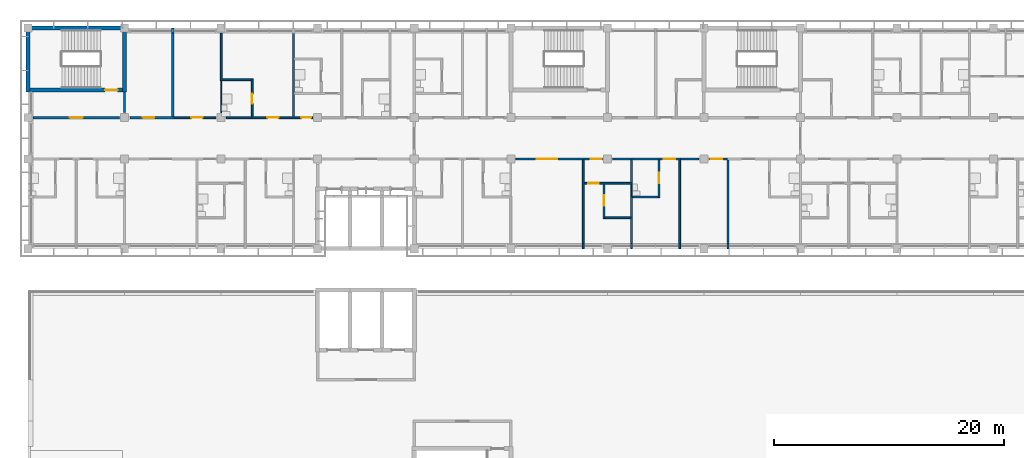
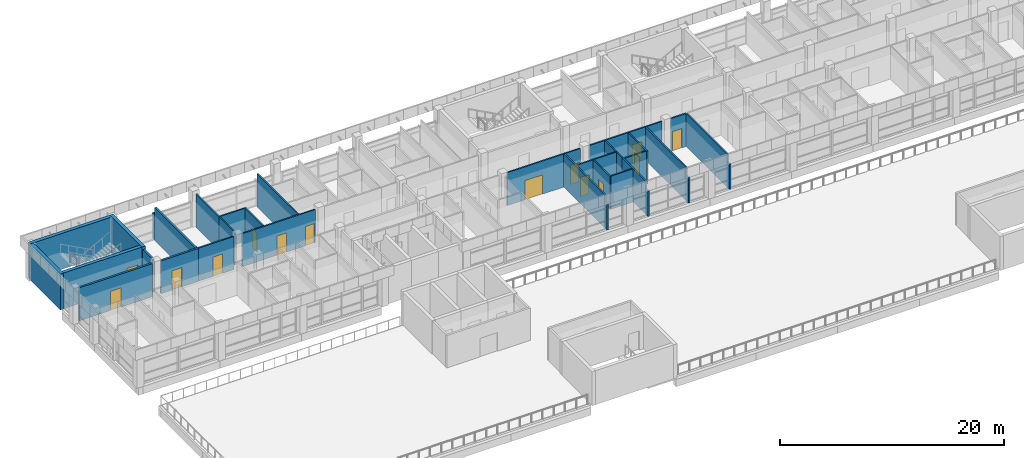
# One storey, part 20 of 46: 35 walls, 14 doors, 14 openings.
"""IFC4 building model written with IfcOpenShell, lengths in metres."""

from ifc_helpers import new_model, si_unit, direction, frame, frame_2d, origin, place, context, subcontext, project, spatial, rectangle, extrude, material, layer, layer_set, type_object, element, fill, save


model = new_model("IFC4")

# Units and contexts
model_context = context("Model", 3, precision=1e-05, world=origin(), true_north=direction((0.0, 1.0)))
body_context = subcontext(model_context, "Body", "Model", "MODEL_VIEW")
ifc_project = project(units=[si_unit("LENGTHUNIT", "METRE"), si_unit("AREAUNIT", "SQUARE_METRE"), si_unit("VOLUMEUNIT", "CUBIC_METRE"), si_unit("PLANEANGLEUNIT", "RADIAN"), si_unit("MASSUNIT", "GRAM", prefix="KILO")], contexts=[model_context])

# Site, building, storey
site_placement = place(None, origin())
site = spatial("IfcSite", under=ifc_project, at=site_placement, CompositionType="ELEMENT")
building_placement = place(site_placement, origin())
building = spatial("IfcBuilding", under=site, at=building_placement, Name="Bougainvillea Quay General Hospital", CompositionType="ELEMENT")
storey_placement = place(building_placement, frame((0.0, 0.0, 28.800048828125)))
storey = spatial("IfcBuildingStorey", under=building, at=storey_placement, Name="L06", CompositionType="ELEMENT", Elevation=28.800048828125)

# Walls
ifc_material_1 = material(Name="Gypsum board partition on steel studs", Category="steel")
ifc_layer_1 = layer(ifc_material_1, 0.10009765625)
ifc_layer_set_1 = layer_set([ifc_layer_1], Name="Gypsum board partition on steel studs")
wall_type_1 = type_object("IfcWallType", Name="Partition 100 Gypsum board partition", PredefinedType="PARTITIONING", material=ifc_layer_set_1)
wall_1_placement = place(storey_placement, frame((58.800048828125, 152.25, 0.0), z_axis=(0.0, 0.0, 1.0), x_axis=(0.0, 1.0, 0.0)))
element("IfcWall", 1, at=wall_1_placement, inside=storey, type_object=wall_type_1, Name="Partition 100 mm", PredefinedType="PARTITIONING", context=body_context, shape_type="SweptSolid", body=[
    extrude(rectangle(XDim=2.77490234375, YDim=0.10009765625, at=frame_2d((1.387451171875, 0.0))), origin(), (0.0, 0.0, 1.0), 3.599853515625),
])
wall_2_placement = place(storey_placement, frame((94.5, 144.97509765625, 0.0), z_axis=(0.0, 0.0, 1.0), x_axis=(0.0, 1.0, 0.0)))
element("IfcWall", 2, at=wall_2_placement, inside=storey, type_object=wall_type_1, Name="Partition 100 mm", PredefinedType="PARTITIONING", context=body_context, shape_type="SweptSolid", body=[
    extrude(rectangle(XDim=1.0498046875, YDim=0.10009765625, at=frame_2d((0.52490234375, 0.0))), origin(), (0.0, 0.0, 1.0), 3.599853515625),
])
ifc_material_2 = material(Name="Gypsum board partition on steel studs, insulated", Category="steel")
ifc_layer_2 = layer(ifc_material_2, 0.14990234375)
ifc_layer_set_2 = layer_set([ifc_layer_2], Name="Gypsum board partition on steel studs, insulated")
wall_type_2 = type_object("IfcWallType", Name="Partition 150 Gypsum board partition", PredefinedType="PARTITIONING", material=ifc_layer_set_2)
wall_3_placement = place(storey_placement, frame((65.10009765625, 159.14990234375, 0.0), z_axis=(0.0, 0.0, 1.0), x_axis=(0.0, -1.0, 0.0)))
element("IfcWall", 3, at=wall_3_placement, inside=storey, type_object=wall_type_2, Name="Partition 150 mm", PredefinedType="PARTITIONING", context=body_context, shape_type="SweptSolid", body=[
    extrude(rectangle(XDim=7.27490234375, YDim=0.14990234375, at=frame_2d((3.637451171875, 0.0))), origin(), (0.0, 0.0, 1.0), 3.599853515625),
])
wall_4_placement = place(storey_placement, frame((90.300048828125, 140.39990234375, 0.0), z_axis=(0.0, 0.0, 1.0), x_axis=(0.0, 1.0, 0.0)))
element("IfcWall", 4, at=wall_4_placement, inside=storey, type_object=wall_type_2, Name="Partition 150 mm", PredefinedType="PARTITIONING", context=body_context, shape_type="SweptSolid", body=[
    extrude(rectangle(XDim=0.4501953125, YDim=0.14990234375, at=frame_2d((0.22509765625, 0.0))), origin(), (0.0, 0.0, 1.0), 2.780029296875),
])
wall_5_placement = place(storey_placement, frame((90.300048828125, 140.85009765625, 0.0), z_axis=(0.0, 0.0, 1.0), x_axis=(0.0, 1.0, 0.0)))
element("IfcWall", 5, at=wall_5_placement, inside=storey, type_object=wall_type_2, Name="Partition 150 mm", PredefinedType="PARTITIONING", context=body_context, shape_type="SweptSolid", body=[
    extrude(rectangle(XDim=7.27490234375, YDim=0.14990234375, at=frame_2d((3.637451171875, 0.0))), origin(), (0.0, 0.0, 1.0), 3.599853515625),
])
wall_6_placement = place(storey_placement, frame((98.699951171875, 140.39990234375, 0.0), z_axis=(0.0, 0.0, 1.0), x_axis=(0.0, 1.0, 0.0)))
element("IfcWall", 6, at=wall_6_placement, inside=storey, type_object=wall_type_2, Name="Partition 150 mm", PredefinedType="PARTITIONING", context=body_context, shape_type="SweptSolid", body=[
    extrude(rectangle(XDim=0.4501953125, YDim=0.14990234375, at=frame_2d((0.22509765625, 0.0))), origin(), (0.0, 0.0, 1.0), 2.780029296875),
])
wall_7_placement = place(storey_placement, frame((98.699951171875, 140.85009765625, 0.0), z_axis=(0.0, 0.0, 1.0), x_axis=(0.0, 1.0, 0.0)))
element("IfcWall", 7, at=wall_7_placement, inside=storey, type_object=wall_type_2, Name="Partition 150 mm", PredefinedType="PARTITIONING", context=body_context, shape_type="SweptSolid", body=[
    extrude(rectangle(XDim=7.27490234375, YDim=0.14990234375, at=frame_2d((3.637451171875, 0.0))), origin(), (0.0, 0.0, 1.0), 3.599853515625),
])
wall_8_placement = place(storey_placement, frame((102.89990234375, 140.39990234375, 0.0), z_axis=(0.0, 0.0, 1.0), x_axis=(0.0, 1.0, 0.0)))
element("IfcWall", 8, at=wall_8_placement, inside=storey, type_object=wall_type_2, Name="Partition 150 mm", PredefinedType="PARTITIONING", context=body_context, shape_type="SweptSolid", body=[
    extrude(rectangle(XDim=0.4501953125, YDim=0.14990234375, at=frame_2d((0.22509765625, 0.0))), origin(), (0.0, 0.0, 1.0), 2.780029296875),
])
wall_9_placement = place(storey_placement, frame((102.89990234375, 140.85009765625, 0.0), z_axis=(0.0, 0.0, 1.0), x_axis=(0.0, 1.0, 0.0)))
element("IfcWall", 9, at=wall_9_placement, inside=storey, type_object=wall_type_2, Name="Partition 150 mm", PredefinedType="PARTITIONING", context=body_context, shape_type="SweptSolid", body=[
    extrude(rectangle(XDim=7.27490234375, YDim=0.14990234375, at=frame_2d((3.637451171875, 0.0))), origin(), (0.0, 0.0, 1.0), 3.599853515625),
])
wall_10_placement = place(storey_placement, frame((58.800048828125, 155.02490234375, 0.0), z_axis=(0.0, 0.0, 1.0), x_axis=(0.0, 1.0, 0.0)))
element("IfcWall", 10, at=wall_10_placement, inside=storey, type_object=wall_type_2, Name="Partition 150 mm", PredefinedType="PARTITIONING", context=body_context, shape_type="SweptSolid", body=[
    extrude(rectangle(XDim=4.125, YDim=0.14990234375, at=frame_2d((2.0625, 0.0))), origin(), (0.0, 0.0, 1.0), 3.599853515625),
])
wall_11_placement = place(storey_placement, frame((94.5, 140.39990234375, 0.0), z_axis=(0.0, 0.0, 1.0), x_axis=(0.0, 1.0, 0.0)))
element("IfcWall", 11, at=wall_11_placement, inside=storey, type_object=wall_type_2, Name="Partition 150 mm", PredefinedType="PARTITIONING", context=body_context, shape_type="SweptSolid", body=[
    extrude(rectangle(XDim=0.4501953125, YDim=0.14990234375, at=frame_2d((0.22509765625, 0.0))), origin(), (0.0, 0.0, 1.0), 2.780029296875),
])
wall_12_placement = place(storey_placement, frame((94.5, 140.85009765625, 0.0), z_axis=(0.0, 0.0, 1.0), x_axis=(0.0, 1.0, 0.0)))
element("IfcWall", 12, at=wall_12_placement, inside=storey, type_object=wall_type_2, Name="Partition 150 mm", PredefinedType="PARTITIONING", context=body_context, shape_type="SweptSolid", body=[
    extrude(rectangle(XDim=4.125, YDim=0.14990234375, at=frame_2d((2.0625, 0.0))), origin(), (0.0, 0.0, 1.0), 3.599853515625),
])

# Wall, opening, door
wall_13_placement = place(storey_placement, frame((90.375, 146.10009765625, 0.0), z_axis=(0.0, 0.0, 1.0), x_axis=(1.0, 0.0, 0.0)))
wall_13 = element("IfcWall", 13, at=wall_13_placement, inside=storey, type_object=wall_type_2, Name="Partition 150 mm", PredefinedType="PARTITIONING", context=body_context, shape_type="SweptSolid", body=[
    extrude(rectangle(XDim=4.199951171875, YDim=0.14990234375, at=frame_2d((2.10009765625, 0.0))), origin(), (0.0, 0.0, 1.0), 3.599853515625),
])
opening_1_placement = place(wall_13_placement, frame((0.375, 0.0, 0.0)))
opening_1 = element("IfcOpeningElement", 14, at=opening_1_placement, cuts=wall_13, Name="Opening L06.030", PredefinedType="OPENING", context=body_context, shape_type="SweptSolid", body=[
    extrude(rectangle(XDim=0.89990234375, YDim=2.10009765625, at=frame_2d((0.449951171875, 1.050048828125))), frame((0.0, 0.0849609375, 0.0), z_axis=(0.0, -1.0, 0.0), x_axis=(1.0, 0.0, 0.0)), (0.0, 0.0, 1.0), 0.169921875),
])
ifc_material_3 = material(Name="Solid-core timber door leaf in steel frame", Category="steel")
door_type_1 = type_object("IfcDoorType", Name="Single leaf door 900x2100 FD30S", OperationType="NOTDEFINED", PredefinedType="DOOR", material=ifc_material_3)
door_1_placement = place(opening_1_placement, frame((0.89990234375, 0.0, 0.0), z_axis=(0.0, 0.0, 1.0), x_axis=(-1.0, 0.0, 0.0)))
door_1 = element("IfcDoor", 15, at=door_1_placement, inside=storey, type_object=door_type_1, Name="DT16 L06.030", OperationType="SINGLE_SWING_RIGHT", OverallHeight=2.10009765625, OverallWidth=0.89990234375, PredefinedType="DOOR", context=body_context, shape_type="SweptSolid", body=[
    extrude(rectangle(XDim=0.89990234375, YDim=2.10009765625, at=frame_2d((0.449951171875, 1.050048828125))), frame((0.0, 0.02490234375, 0.0), z_axis=(0.0, -1.0, 0.0), x_axis=(1.0, 0.0, 0.0)), (0.0, 0.0, 1.0), 0.050048828125),
])
fill(opening_1, door_1)

wall_14_placement = place(storey_placement, frame((61.5, 151.875, 0.0), z_axis=(0.0, 0.0, 1.0), x_axis=(0.0, 1.0, 0.0)))
wall_14 = element("IfcWall", 16, at=wall_14_placement, inside=storey, type_object=wall_type_2, Name="Partition 150 mm", PredefinedType="PARTITIONING", context=body_context, shape_type="SweptSolid", body=[
    extrude(rectangle(XDim=3.300048828125, YDim=0.14990234375, at=frame_2d((1.64990234375, 0.0))), origin(), (0.0, 0.0, 1.0), 3.599853515625),
])
opening_2_placement = place(wall_14_placement, frame((1.125, 0.0, 0.0)))
opening_2 = element("IfcOpeningElement", 17, at=opening_2_placement, cuts=wall_14, Name="Opening L06.017", PredefinedType="OPENING", context=body_context, shape_type="SweptSolid", body=[
    extrude(rectangle(XDim=0.89990234375, YDim=2.10009765625, at=frame_2d((0.449951171875, 1.050048828125))), frame((0.0, 0.0849609375, 0.0), z_axis=(0.0, -1.0, 0.0), x_axis=(1.0, 0.0, 0.0)), (0.0, 0.0, 1.0), 0.169921875),
])
door_type_2 = type_object("IfcDoorType", Name="Single leaf door 900x2100", OperationType="NOTDEFINED", PredefinedType="DOOR", material=ifc_material_3)
door_2_placement = place(opening_2_placement, origin())
door_2 = element("IfcDoor", 18, at=door_2_placement, inside=storey, type_object=door_type_2, Name="DT07 L06.017", OperationType="SINGLE_SWING_LEFT", OverallHeight=2.10009765625, OverallWidth=0.89990234375, PredefinedType="DOOR", context=body_context, shape_type="SweptSolid", body=[
    extrude(rectangle(XDim=0.89990234375, YDim=2.10009765625, at=frame_2d((0.449951171875, 1.050048828125))), frame((0.0, 0.02490234375, 0.0), z_axis=(0.0, -1.0, 0.0), x_axis=(1.0, 0.0, 0.0)), (0.0, 0.0, 1.0), 0.050048828125),
])
fill(opening_2, door_2)

wall_15_placement = place(storey_placement, frame((96.89990234375, 144.824951171875, 0.0), z_axis=(0.0, 0.0, 1.0), x_axis=(0.0, 1.0, 0.0)))
wall_15 = element("IfcWall", 19, at=wall_15_placement, inside=storey, type_object=wall_type_2, Name="Partition 150 mm", PredefinedType="PARTITIONING", context=body_context, shape_type="SweptSolid", body=[
    extrude(rectangle(XDim=3.300048828125, YDim=0.14990234375, at=frame_2d((1.64990234375, 0.0))), origin(), (0.0, 0.0, 1.0), 3.599853515625),
])
opening_3_placement = place(wall_15_placement, frame((1.27490234375, 0.0, 0.0)))
opening_3 = element("IfcOpeningElement", 20, at=opening_3_placement, cuts=wall_15, Name="Opening L06.033", PredefinedType="OPENING", context=body_context, shape_type="SweptSolid", body=[
    extrude(rectangle(XDim=0.89990234375, YDim=2.10009765625, at=frame_2d((0.449951171875, 1.050048828125))), frame((0.0, 0.0849609375, 0.0), z_axis=(0.0, -1.0, 0.0), x_axis=(1.0, 0.0, 0.0)), (0.0, 0.0, 1.0), 0.169921875),
])
door_3_placement = place(opening_3_placement, origin())
door_3 = element("IfcDoor", 21, at=door_3_placement, inside=storey, type_object=door_type_2, Name="DT07 L06.033", OperationType="SINGLE_SWING_RIGHT", OverallHeight=2.10009765625, OverallWidth=0.89990234375, PredefinedType="DOOR", context=body_context, shape_type="SweptSolid", body=[
    extrude(rectangle(XDim=0.89990234375, YDim=2.10009765625, at=frame_2d((0.449951171875, 1.050048828125))), frame((0.0, 0.02490234375, 0.0), z_axis=(0.0, -1.0, 0.0), x_axis=(1.0, 0.0, 0.0)), (0.0, 0.0, 1.0), 0.050048828125),
])
fill(opening_3, door_3)

wall_16_placement = place(storey_placement, frame((92.10009765625, 143.02490234375, 0.0), z_axis=(0.0, 0.0, 1.0), x_axis=(0.0, 1.0, 0.0)))
wall_16 = element("IfcWall", 22, at=wall_16_placement, inside=storey, type_object=wall_type_2, Name="Partition 150 mm", PredefinedType="PARTITIONING", context=body_context, shape_type="SweptSolid", body=[
    extrude(rectangle(XDim=3.0, YDim=0.14990234375, at=frame_2d((1.5, 0.0))), origin(), (0.0, 0.0, 1.0), 3.599853515625),
])
opening_4_placement = place(wall_16_placement, frame((1.125, 0.0, 0.0)))
opening_4 = element("IfcOpeningElement", 23, at=opening_4_placement, cuts=wall_16, Name="Opening L06.031", PredefinedType="OPENING", context=body_context, shape_type="SweptSolid", body=[
    extrude(rectangle(XDim=0.89990234375, YDim=2.10009765625, at=frame_2d((0.449951171875, 1.050048828125))), frame((0.0, 0.0849609375, 0.0), z_axis=(0.0, -1.0, 0.0), x_axis=(1.0, 0.0, 0.0)), (0.0, 0.0, 1.0), 0.169921875),
])
door_4_placement = place(opening_4_placement, frame((0.89990234375, 0.0, 0.0), z_axis=(0.0, 0.0, 1.0), x_axis=(-1.0, 0.0, 0.0)))
door_4 = element("IfcDoor", 24, at=door_4_placement, inside=storey, type_object=door_type_2, Name="DT07 L06.031", OperationType="SINGLE_SWING_LEFT", OverallHeight=2.10009765625, OverallWidth=0.89990234375, PredefinedType="DOOR", context=body_context, shape_type="SweptSolid", body=[
    extrude(rectangle(XDim=0.89990234375, YDim=2.10009765625, at=frame_2d((0.449951171875, 1.050048828125))), frame((0.0, 0.02490234375, 0.0), z_axis=(0.0, -1.0, 0.0), x_axis=(1.0, 0.0, 0.0)), (0.0, 0.0, 1.0), 0.050048828125),
])
fill(opening_4, door_4)

# Walls
wall_17_placement = place(storey_placement, frame((58.875, 155.10009765625, 0.0), z_axis=(0.0, 0.0, 1.0), x_axis=(1.0, 0.0, 0.0)))
element("IfcWall", 25, at=wall_17_placement, inside=storey, type_object=wall_type_2, Name="Partition 150 mm", PredefinedType="PARTITIONING", context=body_context, shape_type="SweptSolid", body=[
    extrude(rectangle(XDim=2.550048828125, YDim=0.14990234375, at=frame_2d((1.27490234375, 0.0))), origin(), (0.0, 0.0, 1.0), 3.599853515625),
])
for number, where, z_axis, x_axis, name in (
    (26, (92.175048828125, 143.10009765625, 0.0), (0.0, 0.0, 1.0), (1.0, 0.0, 0.0), "Partition 150 mm"),
    (27, (94.574951171875, 144.89990234375, 0.0), (0.0, 0.0, 1.0), (1.0, 0.0, 0.0), "Partition 150 mm"),
):
    element("IfcWall", number, at=place(storey_placement, frame(where, z_axis=z_axis, x_axis=x_axis)), inside=storey, type_object=wall_type_2, Name=name, PredefinedType="PARTITIONING", context=body_context, shape_type="SweptSolid", body=[
        extrude(rectangle(XDim=2.25, YDim=0.14990234375, at=frame_2d((1.125, 0.0))), origin(), (0.0, 0.0, 1.0), 3.599853515625),
    ])
wall_18_placement = place(storey_placement, frame((94.5, 146.175048828125, 0.0), z_axis=(0.0, 0.0, 1.0), x_axis=(0.0, 1.0, 0.0)))
element("IfcWall", 28, at=wall_18_placement, inside=storey, type_object=wall_type_2, Name="Partition 150 mm", PredefinedType="PARTITIONING", context=body_context, shape_type="SweptSolid", body=[
    extrude(rectangle(XDim=1.949951171875, YDim=0.14990234375, at=frame_2d((0.97509765625, 0.0))), origin(), (0.0, 0.0, 1.0), 3.599853515625),
])

# Wall, opening, door
ifc_layer_3 = layer(ifc_material_2, 0.14990234375)
ifc_layer_set_3 = layer_set([ifc_layer_3], Name="Gypsum board partition on steel studs, insulated")
wall_type_3 = type_object("IfcWallType", Name="Partition 150 Gypsum board partition EI 30", PredefinedType="PARTITIONING", material=ifc_layer_set_3)
wall_19_placement = place(storey_placement, frame((98.77490234375, 148.199951171875, 0.0), z_axis=(0.0, 0.0, 1.0), x_axis=(-1.0, 0.0, 0.0)))
wall_19 = element("IfcWall", 29, at=wall_19_placement, inside=storey, type_object=wall_type_3, Name="Partition 150 mm EI 30", PredefinedType="PARTITIONING", context=body_context, shape_type="SweptSolid", body=[
    extrude(rectangle(XDim=5.9248046875, YDim=0.14990234375, at=frame_2d((2.96240234375, 0.0))), origin(), (0.0, 0.0, 1.0), 3.599853515625),
])
opening_5_placement = place(wall_19_placement, frame((0.47509765625, 0.0, 0.0)))
opening_5 = element("IfcOpeningElement", 30, at=opening_5_placement, cuts=wall_19, Name="Opening L06.032", PredefinedType="OPENING", context=body_context, shape_type="SweptSolid", body=[
    extrude(rectangle(XDim=1.0, YDim=2.10009765625, at=frame_2d((0.5, 1.050048828125))), frame((0.0, 0.0849609375, 0.0), z_axis=(0.0, -1.0, 0.0), x_axis=(1.0, 0.0, 0.0)), (0.0, 0.0, 1.0), 0.169921875),
])
door_type_3 = type_object("IfcDoorType", Name="Single leaf door 1000x2100 FD30S", OperationType="NOTDEFINED", PredefinedType="DOOR", material=ifc_material_3)
door_5_placement = place(opening_5_placement, origin())
door_5 = element("IfcDoor", 31, at=door_5_placement, inside=storey, type_object=door_type_3, Name="DT15 L06.032", OperationType="SINGLE_SWING_LEFT", OverallHeight=2.10009765625, OverallWidth=1.0, PredefinedType="DOOR", context=body_context, shape_type="SweptSolid", body=[
    extrude(rectangle(XDim=1.0, YDim=2.10009765625, at=frame_2d((0.5, 1.050048828125))), frame((0.0, 0.02490234375, 0.0), z_axis=(0.0, -1.0, 0.0), x_axis=(1.0, 0.0, 0.0)), (0.0, 0.0, 1.0), 0.050048828125),
])
fill(opening_5, door_5)

# Wall, openings, doors
wall_20_placement = place(storey_placement, frame((91.949951171875, 148.199951171875, 0.0), z_axis=(0.0, 0.0, 1.0), x_axis=(-1.0, 0.0, 0.0)))
wall_20 = element("IfcWall", 32, at=wall_20_placement, inside=storey, type_object=wall_type_3, Name="Partition 150 mm EI 30", PredefinedType="PARTITIONING", context=body_context, shape_type="SweptSolid", body=[
    extrude(rectangle(XDim=7.5, YDim=0.14990234375, at=frame_2d((3.75, 0.0))), origin(), (0.0, 0.0, 1.0), 3.599853515625),
])
opening_6_placement = place(wall_20_placement, frame((3.89990234375, 0.0, 0.0)))
opening_6 = element("IfcOpeningElement", 33, at=opening_6_placement, cuts=wall_20, Name="Opening L06.028", PredefinedType="OPENING", context=body_context, shape_type="SweptSolid", body=[
    extrude(rectangle(XDim=1.800048828125, YDim=2.10009765625, at=frame_2d((0.89990234375, 1.050048828125))), frame((0.0, 0.0849609375, 0.0), z_axis=(0.0, -1.0, 0.0), x_axis=(1.0, 0.0, 0.0)), (0.0, 0.0, 1.0), 0.169921875),
])
opening_7_placement = place(wall_20_placement, frame((0.10009765625, 0.0, 0.0)))
opening_7 = element("IfcOpeningElement", 34, at=opening_7_placement, cuts=wall_20, Name="Opening L06.029", PredefinedType="OPENING", context=body_context, shape_type="SweptSolid", body=[
    extrude(rectangle(XDim=0.89990234375, YDim=2.10009765625, at=frame_2d((0.449951171875, 1.050048828125))), frame((0.0, 0.0849609375, 0.0), z_axis=(0.0, -1.0, 0.0), x_axis=(1.0, 0.0, 0.0)), (0.0, 0.0, 1.0), 0.169921875),
])
ifc_material_4 = material(Name="Solid-core timber door leaves in steel frame", Category="steel")
door_type_4 = type_object("IfcDoorType", Name="Double leaf door 1800x2100 FD30S", OperationType="DOUBLE_DOOR_SINGLE_SWING", PredefinedType="DOOR", material=ifc_material_4)
door_6_placement = place(opening_6_placement, origin())
door_6 = element("IfcDoor", 35, at=door_6_placement, inside=storey, type_object=door_type_4, Name="DT17 L06.028", OperationType="DOUBLE_DOOR_SINGLE_SWING", OverallHeight=2.10009765625, OverallWidth=1.800048828125, PredefinedType="DOOR", context=body_context, shape_type="SweptSolid", body=[
    extrude(rectangle(XDim=1.800048828125, YDim=2.10009765625, at=frame_2d((0.89990234375, 1.050048828125))), frame((0.0, 0.02490234375, 0.0), z_axis=(0.0, -1.0, 0.0), x_axis=(1.0, 0.0, 0.0)), (0.0, 0.0, 1.0), 0.050048828125),
])
fill(opening_6, door_6)
door_7_placement = place(opening_7_placement, origin())
door_7 = element("IfcDoor", 36, at=door_7_placement, inside=storey, type_object=door_type_1, Name="DT16 L06.029", OperationType="SINGLE_SWING_LEFT", OverallHeight=2.10009765625, OverallWidth=0.89990234375, PredefinedType="DOOR", context=body_context, shape_type="SweptSolid", body=[
    extrude(rectangle(XDim=0.89990234375, YDim=2.10009765625, at=frame_2d((0.449951171875, 1.050048828125))), frame((0.0, 0.02490234375, 0.0), z_axis=(0.0, -1.0, 0.0), x_axis=(1.0, 0.0, 0.0)), (0.0, 0.0, 1.0), 0.050048828125),
])
fill(opening_7, door_7)

wall_21_placement = place(storey_placement, frame((66.75, 151.800048828125, 0.0), z_axis=(0.0, 0.0, 1.0), x_axis=(-1.0, 0.0, 0.0)))
wall_21 = element("IfcWall", 37, at=wall_21_placement, inside=storey, type_object=wall_type_3, Name="Partition 150 mm EI 30", PredefinedType="PARTITIONING", context=body_context, shape_type="SweptSolid", body=[
    extrude(rectangle(XDim=7.5, YDim=0.14990234375, at=frame_2d((3.75, 0.0))), origin(), (0.0, 0.0, 1.0), 3.599853515625),
])
opening_8_placement = place(wall_21_placement, frame((2.949951171875, 0.0, 0.0)))
opening_8 = element("IfcOpeningElement", 38, at=opening_8_placement, cuts=wall_21, Name="Opening L06.016", PredefinedType="OPENING", context=body_context, shape_type="SweptSolid", body=[
    extrude(rectangle(XDim=1.0, YDim=2.10009765625, at=frame_2d((0.5, 1.050048828125))), frame((0.0, 0.0849609375, 0.0), z_axis=(0.0, -1.0, 0.0), x_axis=(1.0, 0.0, 0.0)), (0.0, 0.0, 1.0), 0.169921875),
])
opening_9_placement = place(wall_21_placement, frame((0.10009765625, 0.0, 0.0)))
opening_9 = element("IfcOpeningElement", 39, at=opening_9_placement, cuts=wall_21, Name="Opening L06.018", PredefinedType="OPENING", context=body_context, shape_type="SweptSolid", body=[
    extrude(rectangle(XDim=0.89990234375, YDim=2.10009765625, at=frame_2d((0.449951171875, 1.050048828125))), frame((0.0, 0.0849609375, 0.0), z_axis=(0.0, -1.0, 0.0), x_axis=(1.0, 0.0, 0.0)), (0.0, 0.0, 1.0), 0.169921875),
])
door_8_placement = place(opening_8_placement, frame((1.0, 0.0, 0.0), z_axis=(0.0, 0.0, 1.0), x_axis=(-1.0, 0.0, 0.0)))
door_8 = element("IfcDoor", 40, at=door_8_placement, inside=storey, type_object=door_type_3, Name="DT15 L06.016", OperationType="SINGLE_SWING_RIGHT", OverallHeight=2.10009765625, OverallWidth=1.0, PredefinedType="DOOR", context=body_context, shape_type="SweptSolid", body=[
    extrude(rectangle(XDim=1.0, YDim=2.10009765625, at=frame_2d((0.5, 1.050048828125))), frame((0.0, 0.02490234375, 0.0), z_axis=(0.0, -1.0, 0.0), x_axis=(1.0, 0.0, 0.0)), (0.0, 0.0, 1.0), 0.050048828125),
])
fill(opening_8, door_8)
door_9_placement = place(opening_9_placement, frame((0.89990234375, 0.0, 0.0), z_axis=(0.0, 0.0, 1.0), x_axis=(-1.0, 0.0, 0.0)))
door_9 = element("IfcDoor", 41, at=door_9_placement, inside=storey, type_object=door_type_1, Name="DT16 L06.018", OperationType="SINGLE_SWING_RIGHT", OverallHeight=2.10009765625, OverallWidth=0.89990234375, PredefinedType="DOOR", context=body_context, shape_type="SweptSolid", body=[
    extrude(rectangle(XDim=0.89990234375, YDim=2.10009765625, at=frame_2d((0.449951171875, 1.050048828125))), frame((0.0, 0.02490234375, 0.0), z_axis=(0.0, -1.0, 0.0), x_axis=(1.0, 0.0, 0.0)), (0.0, 0.0, 1.0), 0.050048828125),
])
fill(opening_9, door_9)

# Wall
ifc_layer_4 = layer(ifc_material_2, 0.14990234375)
ifc_layer_set_4 = layer_set([ifc_layer_4], Name="Gypsum board partition on steel studs, insulated")
wall_type_4 = type_object("IfcWallType", Name="Partition 150 Gypsum board partition EI 60", PredefinedType="PARTITIONING", material=ifc_layer_set_4)
wall_22_placement = place(storey_placement, frame((98.77490234375, 148.199951171875, 0.0), z_axis=(0.0, 0.0, 1.0), x_axis=(1.0, 0.0, 0.0)))
element("IfcWall", 42, at=wall_22_placement, inside=storey, type_object=wall_type_4, Name="Partition 150 mm EI 60", PredefinedType="PARTITIONING", context=body_context, shape_type="SweptSolid", body=[
    extrude(rectangle(XDim=1.5751953125, YDim=0.14990234375, at=frame_2d((0.78759765625, 0.0))), origin(), (0.0, 0.0, 1.0), 3.599853515625),
])

# Wall, opening, door
wall_23_placement = place(storey_placement, frame((101.25, 148.199951171875, 0.0), z_axis=(0.0, 0.0, 1.0), x_axis=(1.0, 0.0, 0.0)))
wall_23 = element("IfcWall", 43, at=wall_23_placement, inside=storey, type_object=wall_type_4, Name="Partition 150 mm EI 60", PredefinedType="PARTITIONING", context=body_context, shape_type="SweptSolid", body=[
    extrude(rectangle(XDim=1.574951171875, YDim=0.14990234375, at=frame_2d((0.78759765625, 0.0))), origin(), (0.0, 0.0, 1.0), 3.599853515625),
])
opening_10_placement = place(wall_23_placement, frame((0.14990234375, 0.0, 0.0)))
opening_10 = element("IfcOpeningElement", 44, at=opening_10_placement, cuts=wall_23, Name="Opening L06.034", PredefinedType="OPENING", context=body_context, shape_type="SweptSolid", body=[
    extrude(rectangle(XDim=1.0, YDim=2.10009765625, at=frame_2d((0.5, 1.050048828125))), frame((0.0, 0.0849609375, 0.0), z_axis=(0.0, -1.0, 0.0), x_axis=(1.0, 0.0, 0.0)), (0.0, 0.0, 1.0), 0.169921875),
])
door_type_5 = type_object("IfcDoorType", Name="Single leaf door 1000x2100 FD60", OperationType="NOTDEFINED", PredefinedType="DOOR", material=ifc_material_3)
door_10_placement = place(opening_10_placement, frame((1.0, 0.0, 0.0), z_axis=(0.0, 0.0, 1.0), x_axis=(-1.0, 0.0, 0.0)))
door_10 = element("IfcDoor", 45, at=door_10_placement, inside=storey, type_object=door_type_5, Name="DT14 L06.034", OperationType="SINGLE_SWING_RIGHT", OverallHeight=2.10009765625, OverallWidth=1.0, PredefinedType="DOOR", context=body_context, shape_type="SweptSolid", body=[
    extrude(rectangle(XDim=1.0, YDim=2.10009765625, at=frame_2d((0.5, 1.050048828125))), frame((0.0, 0.02490234375, 0.0), z_axis=(0.0, -1.0, 0.0), x_axis=(1.0, 0.0, 0.0)), (0.0, 0.0, 1.0), 0.050048828125),
])
fill(opening_10, door_10)

wall_24_placement = place(storey_placement, frame((54.699951171875, 151.800048828125, 0.0), z_axis=(0.0, 0.0, 1.0), x_axis=(1.0, 0.0, 0.0)))
wall_24 = element("IfcWall", 46, at=wall_24_placement, inside=storey, type_object=wall_type_4, Name="Partition 150 mm EI 60", PredefinedType="PARTITIONING", context=body_context, shape_type="SweptSolid", body=[
    extrude(rectangle(XDim=3.650146484375, YDim=0.14990234375, at=frame_2d((1.8251953125, 0.0))), origin(), (0.0, 0.0, 1.0), 3.599853515625),
])
opening_11_placement = place(wall_24_placement, frame((1.5, 0.0, 0.0)))
opening_11 = element("IfcOpeningElement", 47, at=opening_11_placement, cuts=wall_24, Name="Opening L06.015", PredefinedType="OPENING", context=body_context, shape_type="SweptSolid", body=[
    extrude(rectangle(XDim=1.0, YDim=2.10009765625, at=frame_2d((0.5, 1.050048828125))), frame((0.0, 0.0849609375, 0.0), z_axis=(0.0, -1.0, 0.0), x_axis=(1.0, 0.0, 0.0)), (0.0, 0.0, 1.0), 0.169921875),
])
door_11_placement = place(opening_11_placement, origin())
door_11 = element("IfcDoor", 48, at=door_11_placement, inside=storey, type_object=door_type_5, Name="DT14 L06.015", OperationType="SINGLE_SWING_RIGHT", OverallHeight=2.10009765625, OverallWidth=1.0, PredefinedType="DOOR", context=body_context, shape_type="SweptSolid", body=[
    extrude(rectangle(XDim=1.0, YDim=2.10009765625, at=frame_2d((0.5, 1.050048828125))), frame((0.0, 0.02490234375, 0.0), z_axis=(0.0, -1.0, 0.0), x_axis=(1.0, 0.0, 0.0)), (0.0, 0.0, 1.0), 0.050048828125),
])
fill(opening_11, door_11)

ifc_material_5 = material(Name="Fire-rated autoclaved aerated block wall, plastered")
ifc_layer_5 = layer(ifc_material_5, 0.199951171875)
ifc_layer_set_5 = layer_set([ifc_layer_5], Name="Fire-rated autoclaved aerated block wall, plastered")
wall_type_5 = type_object("IfcWallType", Name="Partition 200 Fire-rated autoclaved aerated block wall EI 120", PredefinedType="SOLIDWALL", material=ifc_layer_set_5)
wall_25_placement = place(storey_placement, frame((42.449951171875, 151.800048828125, 0.0), z_axis=(0.0, 0.0, 1.0), x_axis=(1.0, 0.0, 0.0)))
wall_25 = element("IfcWall", 49, at=wall_25_placement, inside=storey, type_object=wall_type_5, Name="Partition 200 mm EI 120", PredefinedType="SOLIDWALL", context=body_context, shape_type="SweptSolid", body=[
    extrude(rectangle(XDim=7.5, YDim=0.199951171875, at=frame_2d((3.75, 0.0))), origin(), (0.0, 0.0, 1.0), 3.599853515625),
])
opening_12_placement = place(wall_25_placement, frame((3.199951171875, 0.0, 0.0)))
opening_12 = element("IfcOpeningElement", 50, at=opening_12_placement, cuts=wall_25, Name="Opening L06.110", PredefinedType="OPENING", context=body_context, shape_type="SweptSolid", body=[
    extrude(rectangle(XDim=1.10009765625, YDim=2.10009765625, at=frame_2d((0.550048828125, 1.050048828125))), frame((0.0, 0.10986328125, 0.0), z_axis=(0.0, -1.0, 0.0), x_axis=(1.0, 0.0, 0.0)), (0.0, 0.0, 1.0), 0.219970703125),
])
ifc_material_6 = material(Name="Steel fire door leaf in steel frame", Category="steel")
door_type_6 = type_object("IfcDoorType", Name="Steel single leaf door 1100x2100 FD60", OperationType="NOTDEFINED", PredefinedType="DOOR", material=ifc_material_6)
door_12_placement = place(opening_12_placement, origin())
door_12 = element("IfcDoor", 51, at=door_12_placement, inside=storey, type_object=door_type_6, Name="DT04 L06.110", OperationType="SINGLE_SWING_RIGHT", OverallHeight=2.10009765625, OverallWidth=1.10009765625, PredefinedType="DOOR", context=body_context, shape_type="SweptSolid", body=[
    extrude(rectangle(XDim=1.10009765625, YDim=2.10009765625, at=frame_2d((0.550048828125, 1.050048828125))), frame((0.0, 0.02490234375, 0.0), z_axis=(0.0, -1.0, 0.0), x_axis=(1.0, 0.0, 0.0)), (0.0, 0.0, 1.0), 0.050048828125),
])
fill(opening_12, door_12)

wall_26_placement = place(storey_placement, frame((50.85009765625, 151.800048828125, 0.0), z_axis=(0.0, 0.0, 1.0), x_axis=(1.0, 0.0, 0.0)))
wall_26 = element("IfcWall", 52, at=wall_26_placement, inside=storey, type_object=wall_type_5, Name="Partition 200 mm EI 120", PredefinedType="SOLIDWALL", context=body_context, shape_type="SweptSolid", body=[
    extrude(rectangle(XDim=3.849853515625, YDim=0.199951171875, at=frame_2d((1.9248046875, 0.0))), origin(), (0.0, 0.0, 1.0), 3.599853515625),
])
opening_13_placement = place(wall_26_placement, frame((1.14990234375, 0.0, 0.0)))
opening_13 = element("IfcOpeningElement", 53, at=opening_13_placement, cuts=wall_26, Name="Opening L06.101", PredefinedType="OPENING", context=body_context, shape_type="SweptSolid", body=[
    extrude(rectangle(XDim=1.0, YDim=2.10009765625, at=frame_2d((0.5, 1.050048828125))), frame((0.0, 0.10986328125, 0.0), z_axis=(0.0, -1.0, 0.0), x_axis=(1.0, 0.0, 0.0)), (0.0, 0.0, 1.0), 0.219970703125),
])
door_type_7 = type_object("IfcDoorType", Name="Steel single leaf door 1000x2100 FD90", OperationType="NOTDEFINED", PredefinedType="DOOR", material=ifc_material_6)
door_13_placement = place(opening_13_placement, origin())
door_13 = element("IfcDoor", 54, at=door_13_placement, inside=storey, type_object=door_type_7, Name="DT11 L06.101", OperationType="SINGLE_SWING_LEFT", OverallHeight=2.10009765625, OverallWidth=1.0, PredefinedType="DOOR", context=body_context, shape_type="SweptSolid", body=[
    extrude(rectangle(XDim=1.0, YDim=2.10009765625, at=frame_2d((0.5, 1.050048828125))), frame((0.0, 0.02490234375, 0.0), z_axis=(0.0, -1.0, 0.0), x_axis=(1.0, 0.0, 0.0)), (0.0, 0.0, 1.0), 0.050048828125),
])
fill(opening_13, door_13)

# Walls
wall_27_placement = place(storey_placement, frame((50.39990234375, 152.25, 0.0), z_axis=(0.0, 0.0, 1.0), x_axis=(0.0, 1.0, 0.0)))
element("IfcWall", 55, at=wall_27_placement, inside=storey, type_object=wall_type_5, Name="Partition 200 mm EI 120", PredefinedType="SOLIDWALL", context=body_context, shape_type="SweptSolid", body=[
    extrude(rectangle(XDim=1.77490234375, YDim=0.199951171875, at=frame_2d((0.887451171875, 0.0))), origin(), (0.0, 0.0, 1.0), 3.599853515625),
])
wall_28_placement = place(storey_placement, frame((54.60009765625, 151.89990234375, 0.0), z_axis=(0.0, 0.0, 1.0), x_axis=(0.0, 1.0, 0.0)))
element("IfcWall", 56, at=wall_28_placement, inside=storey, type_object=wall_type_5, Name="Partition 200 mm EI 120", PredefinedType="SOLIDWALL", context=body_context, shape_type="SweptSolid", body=[
    extrude(rectangle(XDim=7.25, YDim=0.199951171875, at=frame_2d((3.625, 0.0))), origin(), (0.0, 0.0, 1.0), 3.599853515625),
])
wall_29_placement = place(storey_placement, frame((54.60009765625, 159.14990234375, 0.0), z_axis=(0.0, 0.0, 1.0), x_axis=(0.0, 1.0, 0.0)))
element("IfcWall", 57, at=wall_29_placement, inside=storey, type_object=wall_type_5, Name="Partition 200 mm EI 120", PredefinedType="SOLIDWALL", context=body_context, shape_type="SweptSolid", body=[
    extrude(rectangle(XDim=0.4501953125, YDim=0.199951171875, at=frame_2d((0.22509765625, 0.0))), origin(), (0.0, 0.0, 1.0), 2.780029296875),
])
ifc_material_7 = material(Name="Concrete C40", Category="concrete")
ifc_layer_6 = layer(ifc_material_7, 0.35009765625)
ifc_layer_set_6 = layer_set([ifc_layer_6], Name="Concrete C40")
wall_type_6 = type_object("IfcWallType", Name="RC SHEAR WALL 350 C40", PredefinedType="SHEAR", material=ifc_layer_set_6)
wall_30_placement = place(storey_placement, frame((41.824951171875, 159.60009765625, 0.0), z_axis=(0.0, 0.0, 1.0), x_axis=(1.0, 0.0, 0.0)))
element("IfcWall", 58, at=wall_30_placement, inside=storey, type_object=wall_type_6, Name="Shear wall L06", PredefinedType="SHEAR", context=body_context, shape_type="SweptSolid", body=[
    extrude(rectangle(XDim=8.400146484375, YDim=0.35009765625, at=frame_2d((4.2001953125, 0.0))), origin(), (0.0, 0.0, 1.0), 3.89990234375),
])
wall_31_placement = place(storey_placement, frame((42.0, 154.02490234375, 0.0), z_axis=(0.0, 0.0, 1.0), x_axis=(0.0, 1.0, 0.0)))
element("IfcWall", 59, at=wall_31_placement, inside=storey, type_object=wall_type_6, Name="Shear wall L06", PredefinedType="SHEAR", context=body_context, shape_type="SweptSolid", body=[
    extrude(rectangle(XDim=5.400146484375, YDim=0.35009765625, at=frame_2d((2.7001953125, 0.0))), origin(), (0.0, 0.0, 1.0), 3.89990234375),
])

# Wall, opening, door
wall_32_placement = place(storey_placement, frame((42.175048828125, 154.199951171875, 0.0), z_axis=(0.0, 0.0, 1.0), x_axis=(1.0, 0.0, 0.0)))
wall_32 = element("IfcWall", 60, at=wall_32_placement, inside=storey, type_object=wall_type_6, Name="Shear wall L06", PredefinedType="SHEAR", context=body_context, shape_type="SweptSolid", body=[
    extrude(rectangle(XDim=8.050048828125, YDim=0.35009765625, at=frame_2d((4.02490234375, 0.0))), origin(), (0.0, 0.0, 1.0), 3.89990234375),
])
opening_14_placement = place(wall_32_placement, frame((6.52490234375, 0.0, 0.0)))
opening_14 = element("IfcOpeningElement", 61, at=opening_14_placement, cuts=wall_32, Name="Opening L06.109", PredefinedType="OPENING", context=body_context, shape_type="SweptSolid", body=[
    extrude(rectangle(XDim=1.10009765625, YDim=2.10009765625, at=frame_2d((0.550048828125, 1.050048828125))), frame((0.0, 0.18505859375, 0.0), z_axis=(0.0, -1.0, 0.0), x_axis=(1.0, 0.0, 0.0)), (0.0, 0.0, 1.0), 0.3701171875),
])
door_14_placement = place(opening_14_placement, origin())
door_14 = element("IfcDoor", 62, at=door_14_placement, inside=storey, type_object=door_type_6, Name="DT04 L06.109", OperationType="SINGLE_SWING_RIGHT", OverallHeight=2.10009765625, OverallWidth=1.10009765625, PredefinedType="DOOR", context=body_context, shape_type="SweptSolid", body=[
    extrude(rectangle(XDim=1.10009765625, YDim=2.10009765625, at=frame_2d((0.550048828125, 1.050048828125))), frame((0.0, 0.02490234375, 0.0), z_axis=(0.0, -1.0, 0.0), x_axis=(1.0, 0.0, 0.0)), (0.0, 0.0, 1.0), 0.050048828125),
])
fill(opening_14, door_14)

# Wall
wall_33_placement = place(storey_placement, frame((50.39990234375, 154.02490234375, 0.0), z_axis=(0.0, 0.0, 1.0), x_axis=(0.0, 1.0, 0.0)))
element("IfcWall", 63, at=wall_33_placement, inside=storey, type_object=wall_type_6, Name="Shear wall L06", PredefinedType="SHEAR", context=body_context, shape_type="SweptSolid", body=[
    extrude(rectangle(XDim=5.75, YDim=0.35009765625, at=frame_2d((2.875, 0.0))), origin(), (0.0, 0.0, 1.0), 3.89990234375),
])

save(model, "model.ifc")
